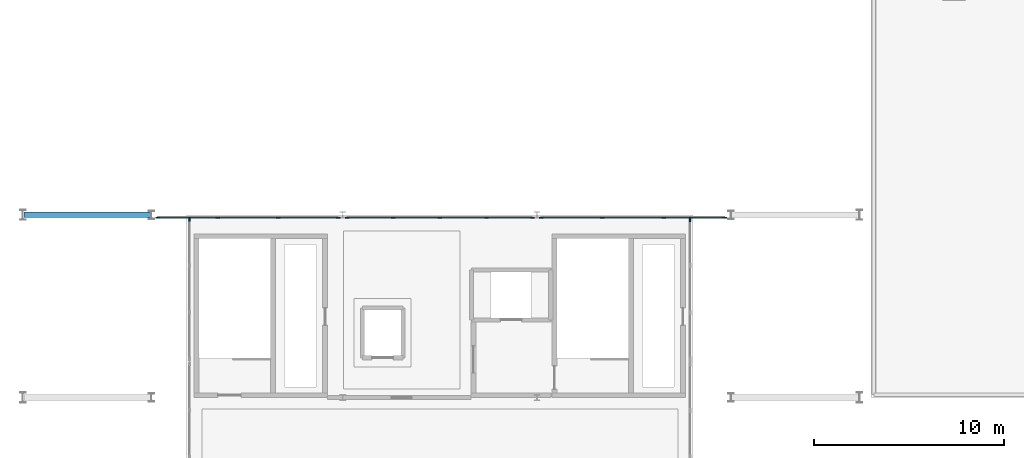
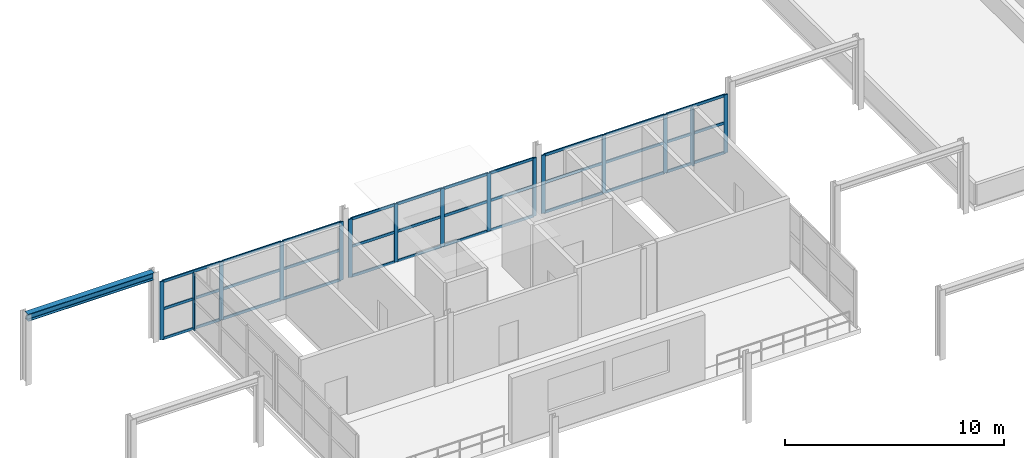
# One storey, part 23 of 52: 45 members, 1 beam, 5 elements without a shape of their own.
"""IFC4 building model written with IfcOpenShell, lengths in metres."""

from ifc_helpers import new_model, si_unit, direction, frame, origin, origin_2d, place, context, subcontext, project, spatial, rectangle, i_section, extrude, material, layer, layer_set, material_profile, profile_set, type_object, element, aggregate, save


model = new_model("IFC4")

# Units and contexts
model_context = context("Model", 3, precision=1e-05, world=origin(), true_north=direction((0.0, 1.0)))
body_context = subcontext(model_context, "Body", "Model", "MODEL_VIEW")
ifc_project = project(units=[si_unit("LENGTHUNIT", "METRE"), si_unit("AREAUNIT", "SQUARE_METRE"), si_unit("VOLUMEUNIT", "CUBIC_METRE"), si_unit("PLANEANGLEUNIT", "RADIAN"), si_unit("MASSUNIT", "GRAM", prefix="KILO")], contexts=[model_context])

# Site, building, storey
site_placement = place(None, origin())
site = spatial("IfcSite", under=ifc_project, at=site_placement, CompositionType="ELEMENT")
building_placement = place(site_placement, origin())
building = spatial("IfcBuilding", under=site, at=building_placement, Name="Myrtia Square Station", CompositionType="ELEMENT")
storey_placement = place(building_placement, frame((0.0, 0.0, 15.0)))
storey = spatial("IfcBuildingStorey", under=building, at=storey_placement, Name="L03", CompositionType="ELEMENT", Elevation=15.0)

# Beam
ifc_material_1 = material(Name="Steel S355", Category="steel")
ifc_material_profile_1 = material_profile(ifc_material_1, i_section(OverallWidth=0.300048828125, OverallDepth=0.39990234375, WebThickness=0.013427734375, FlangeThickness=0.02392578125, FilletRadius=0.027099609375, at=origin_2d()), Name="HEB 400")
ifc_profile_set_1 = profile_set([ifc_material_profile_1], Name="Steel S355")
beam_type = type_object("IfcBeamType", Name="BM-HEB400", PredefinedType="BEAM", material=ifc_profile_set_1)
beam_placement = place(storey_placement, frame((72.64990234375, 96.0, 3.64990234375), z_axis=(1.0, 0.0, 0.0), x_axis=(0.0, 1.0, 0.0)))
element("IfcBeam", 1, at=beam_placement, inside=storey, type_object=beam_type, Name="Colonnade overhang tie beam 026", PredefinedType="BEAM", context=body_context, shape_type="SweptSolid", body=[
    extrude(i_section(OverallWidth=0.300048828125, OverallDepth=0.39990234375, WebThickness=0.013427734375, FlangeThickness=0.02392578125, FilletRadius=0.027099609375, at=origin_2d()), origin(), (0.0, 0.0, 1.0), 6.650146484375),
])

# Curtain wall, member
ifc_material_2 = material(Name="Dark bronze anodised aluminium", Category="aluminium")
ifc_layer_1 = layer(ifc_material_2, 0.159912109375, Name="Dark bronze anodised aluminium")
ifc_layer_set_1 = layer_set([ifc_layer_1], Name="Dark bronze anodised aluminium")
curtain_wall_type_1 = type_object("IfcCurtainWallType", Name="CW-TYPE-07-740x320", PredefinedType="USERDEFINED", material=ifc_layer_set_1)
curtain_wall_1_placement = place(storey_placement, origin())
curtain_wall_1 = element("IfcCurtainWall", 2, at=curtain_wall_1_placement, inside=storey, type_object=curtain_wall_type_1, Name="Concourse curtain wall CW-L03-039", ObjectType="CONCOURSE CURTAIN WALL", PredefinedType="USERDEFINED")
ifc_material_profile_2 = material_profile(ifc_material_2, rectangle(XDim=0.06494140625, YDim=0.199951171875, at=origin_2d()), Name="ALU-M 65x200")
ifc_profile_set_2 = profile_set([ifc_material_profile_2], Name="Dark bronze anodised aluminium")
member_type_1 = type_object("IfcMemberType", Name="CWM-65x200", PredefinedType="MULLION", material=ifc_profile_set_2)
member_1_placement = place(storey_placement, frame((81.35009765625, 95.767578125, 0.0), z_axis=(0.0, 0.0, 1.0), x_axis=(-1.0, 0.0, 0.0)))
member_1 = element("IfcMember", 3, at=member_1_placement, type_object=member_type_1, Name="CW-039 mullion 4", PredefinedType="MULLION", context=body_context, shape_type="SweptSolid", body=[
    extrude(rectangle(XDim=0.06494140625, YDim=0.199951171875, at=origin_2d()), origin(), (0.0, 0.0, 1.0), 3.199951171875),
])
aggregate(curtain_wall_1, [member_1])

# Curtain wall, members
ifc_layer_2 = layer(ifc_material_2, 0.159912109375, Name="Dark bronze anodised aluminium")
ifc_layer_set_2 = layer_set([ifc_layer_2], Name="Dark bronze anodised aluminium")
curtain_wall_type_2 = type_object("IfcCurtainWallType", Name="CW-TYPE-15-955x325", PredefinedType="USERDEFINED", material=ifc_layer_set_2)
curtain_wall_2_placement = place(storey_placement, origin())
curtain_wall_2 = element("IfcCurtainWall", 4, at=curtain_wall_2_placement, inside=storey, type_object=curtain_wall_type_2, Name="Concourse curtain wall CW-L03-054", ObjectType="CONCOURSE CURTAIN WALL", PredefinedType="USERDEFINED")
member_2_placement = place(storey_placement, frame((79.6826171875, 95.85009765625, 0.0), z_axis=(0.0, 0.0, 1.0), x_axis=(0.0, 1.0, 0.0)))
member_2 = element("IfcMember", 5, at=member_2_placement, type_object=member_type_1, Name="CW-054 mullion 1", PredefinedType="MULLION", context=body_context, shape_type="SweptSolid", body=[
    extrude(rectangle(XDim=0.06494140625, YDim=0.199951171875, at=origin_2d()), origin(), (0.0, 0.0, 1.0), 3.25),
])
member_3_placement = place(storey_placement, frame((82.833251953125, 95.85009765625, 0.0), z_axis=(0.0, 0.0, 1.0), x_axis=(0.0, 1.0, 0.0)))
member_3 = element("IfcMember", 6, at=member_3_placement, type_object=member_type_1, Name="CW-054 mullion 2", PredefinedType="MULLION", context=body_context, shape_type="SweptSolid", body=[
    extrude(rectangle(XDim=0.06494140625, YDim=0.199951171875, at=origin_2d()), origin(), (0.0, 0.0, 1.0), 3.25),
])
member_4_placement = place(storey_placement, frame((86.0166015625, 95.85009765625, 0.0), z_axis=(0.0, 0.0, 1.0), x_axis=(0.0, 1.0, 0.0)))
member_4 = element("IfcMember", 7, at=member_4_placement, type_object=member_type_1, Name="CW-054 mullion 3", PredefinedType="MULLION", context=body_context, shape_type="SweptSolid", body=[
    extrude(rectangle(XDim=0.06494140625, YDim=0.199951171875, at=origin_2d()), origin(), (0.0, 0.0, 1.0), 3.25),
])
member_5_placement = place(storey_placement, frame((89.16748046875, 95.85009765625, 0.0), z_axis=(0.0, 0.0, 1.0), x_axis=(0.0, 1.0, 0.0)))
member_5 = element("IfcMember", 8, at=member_5_placement, type_object=member_type_1, Name="CW-054 mullion 4", PredefinedType="MULLION", context=body_context, shape_type="SweptSolid", body=[
    extrude(rectangle(XDim=0.06494140625, YDim=0.199951171875, at=origin_2d()), origin(), (0.0, 0.0, 1.0), 3.25),
])

ifc_layer_3 = layer(ifc_material_2, 0.159912109375, Name="Dark bronze anodised aluminium")
ifc_layer_set_3 = layer_set([ifc_layer_3], Name="Dark bronze anodised aluminium")
curtain_wall_type_3 = type_object("IfcCurtainWallType", Name="CW-TYPE-16-980x325", PredefinedType="USERDEFINED", material=ifc_layer_set_3)
curtain_wall_3_placement = place(storey_placement, origin())
curtain_wall_3 = element("IfcCurtainWall", 9, at=curtain_wall_3_placement, inside=storey, type_object=curtain_wall_type_3, Name="Concourse curtain wall CW-L03-056", ObjectType="CONCOURSE CURTAIN WALL", PredefinedType="USERDEFINED")
member_6_placement = place(storey_placement, frame((89.632568359375, 95.85009765625, 0.0), z_axis=(0.0, 0.0, 1.0), x_axis=(0.0, 1.0, 0.0)))
member_6 = element("IfcMember", 10, at=member_6_placement, type_object=member_type_1, Name="CW-056 mullion 1", PredefinedType="MULLION", context=body_context, shape_type="SweptSolid", body=[
    extrude(rectangle(XDim=0.06494140625, YDim=0.199951171875, at=origin_2d()), origin(), (0.0, 0.0, 1.0), 3.25),
])
member_7_placement = place(storey_placement, frame((92.050048828125, 95.85009765625, 0.0), z_axis=(0.0, 0.0, 1.0), x_axis=(0.0, 1.0, 0.0)))
member_7 = element("IfcMember", 11, at=member_7_placement, type_object=member_type_1, Name="CW-056 mullion 2", PredefinedType="MULLION", context=body_context, shape_type="SweptSolid", body=[
    extrude(rectangle(XDim=0.06494140625, YDim=0.199951171875, at=origin_2d()), origin(), (0.0, 0.0, 1.0), 3.25),
])
member_8_placement = place(storey_placement, frame((94.5, 95.85009765625, 0.0), z_axis=(0.0, 0.0, 1.0), x_axis=(0.0, 1.0, 0.0)))
member_8 = element("IfcMember", 12, at=member_8_placement, type_object=member_type_1, Name="CW-056 mullion 3", PredefinedType="MULLION", context=body_context, shape_type="SweptSolid", body=[
    extrude(rectangle(XDim=0.06494140625, YDim=0.199951171875, at=origin_2d()), origin(), (0.0, 0.0, 1.0), 3.25),
])
member_9_placement = place(storey_placement, frame((96.949951171875, 95.85009765625, 0.0), z_axis=(0.0, 0.0, 1.0), x_axis=(0.0, 1.0, 0.0)))
member_9 = element("IfcMember", 13, at=member_9_placement, type_object=member_type_1, Name="CW-056 mullion 4", PredefinedType="MULLION", context=body_context, shape_type="SweptSolid", body=[
    extrude(rectangle(XDim=0.06494140625, YDim=0.199951171875, at=origin_2d()), origin(), (0.0, 0.0, 1.0), 3.25),
])
member_10_placement = place(storey_placement, frame((99.367431640625, 95.85009765625, 0.0), z_axis=(0.0, 0.0, 1.0), x_axis=(0.0, 1.0, 0.0)))
member_10 = element("IfcMember", 14, at=member_10_placement, type_object=member_type_1, Name="CW-056 mullion 5", PredefinedType="MULLION", context=body_context, shape_type="SweptSolid", body=[
    extrude(rectangle(XDim=0.06494140625, YDim=0.199951171875, at=origin_2d()), origin(), (0.0, 0.0, 1.0), 3.25),
])

ifc_layer_4 = layer(ifc_material_2, 0.159912109375, Name="Dark bronze anodised aluminium")
ifc_layer_set_4 = layer_set([ifc_layer_4], Name="Dark bronze anodised aluminium")
curtain_wall_type_4 = type_object("IfcCurtainWallType", Name="CW-TYPE-17-970x325", PredefinedType="USERDEFINED", material=ifc_layer_set_4)
curtain_wall_4_placement = place(storey_placement, origin())
curtain_wall_4 = element("IfcCurtainWall", 15, at=curtain_wall_4_placement, inside=storey, type_object=curtain_wall_type_4, Name="Concourse curtain wall CW-L03-058", ObjectType="CONCOURSE CURTAIN WALL", PredefinedType="USERDEFINED")
member_11_placement = place(storey_placement, frame((99.83251953125, 95.85009765625, 0.0), z_axis=(0.0, 0.0, 1.0), x_axis=(0.0, 1.0, 0.0)))
member_11 = element("IfcMember", 16, at=member_11_placement, type_object=member_type_1, Name="CW-058 mullion 1", PredefinedType="MULLION", context=body_context, shape_type="SweptSolid", body=[
    extrude(rectangle(XDim=0.06494140625, YDim=0.199951171875, at=origin_2d()), origin(), (0.0, 0.0, 1.0), 3.25),
])
member_12_placement = place(storey_placement, frame((103.033447265625, 95.85009765625, 0.0), z_axis=(0.0, 0.0, 1.0), x_axis=(0.0, 1.0, 0.0)))
member_12 = element("IfcMember", 17, at=member_12_placement, type_object=member_type_1, Name="CW-058 mullion 2", PredefinedType="MULLION", context=body_context, shape_type="SweptSolid", body=[
    extrude(rectangle(XDim=0.06494140625, YDim=0.199951171875, at=origin_2d()), origin(), (0.0, 0.0, 1.0), 3.25),
])
member_13_placement = place(storey_placement, frame((106.2666015625, 95.85009765625, 0.0), z_axis=(0.0, 0.0, 1.0), x_axis=(0.0, 1.0, 0.0)))
member_13 = element("IfcMember", 18, at=member_13_placement, type_object=member_type_1, Name="CW-058 mullion 3", PredefinedType="MULLION", context=body_context, shape_type="SweptSolid", body=[
    extrude(rectangle(XDim=0.06494140625, YDim=0.199951171875, at=origin_2d()), origin(), (0.0, 0.0, 1.0), 3.25),
])
member_14_placement = place(storey_placement, frame((109.467529296875, 95.85009765625, 0.0), z_axis=(0.0, 0.0, 1.0), x_axis=(0.0, 1.0, 0.0)))
member_14 = element("IfcMember", 19, at=member_14_placement, type_object=member_type_1, Name="CW-058 mullion 4", PredefinedType="MULLION", context=body_context, shape_type="SweptSolid", body=[
    extrude(rectangle(XDim=0.06494140625, YDim=0.199951171875, at=origin_2d()), origin(), (0.0, 0.0, 1.0), 3.25),
])

# Curtain wall, member
ifc_layer_5 = layer(ifc_material_2, 0.159912109375, Name="Dark bronze anodised aluminium")
ifc_layer_set_5 = layer_set([ifc_layer_5], Name="Dark bronze anodised aluminium")
curtain_wall_type_5 = type_object("IfcCurtainWallType", Name="CW-TYPE-08-740x320", PredefinedType="USERDEFINED", material=ifc_layer_set_5)
curtain_wall_5_placement = place(storey_placement, origin())
curtain_wall_5 = element("IfcCurtainWall", 20, at=curtain_wall_5_placement, inside=storey, type_object=curtain_wall_type_5, Name="Concourse curtain wall CW-L03-040", ObjectType="CONCOURSE CURTAIN WALL", PredefinedType="USERDEFINED")
ifc_material_profile_3 = material_profile(ifc_material_2, rectangle(XDim=0.074951171875, YDim=0.239990234375, at=origin_2d()), Name="ALU-M 75x240")
ifc_profile_set_3 = profile_set([ifc_material_profile_3], Name="Dark bronze anodised aluminium")
member_type_2 = type_object("IfcMemberType", Name="CWM-75x240", PredefinedType="MULLION", material=ifc_profile_set_3)
member_15_placement = place(storey_placement, frame((107.64990234375, 95.762451171875, 0.0), z_axis=(0.0, 0.0, 1.0), x_axis=(-1.0, 0.0, 0.0)))
member_15 = element("IfcMember", 21, at=member_15_placement, type_object=member_type_2, Name="CW-040 mullion 4", PredefinedType="MULLION", context=body_context, shape_type="SweptSolid", body=[
    extrude(rectangle(XDim=0.074951171875, YDim=0.239990234375, at=origin_2d()), origin(), (0.0, 0.0, 1.0), 3.199951171875),
])
aggregate(curtain_wall_5, [member_15])

# Member
ifc_material_profile_4 = material_profile(ifc_material_2, rectangle(XDim=0.06494140625, YDim=0.14990234375, at=origin_2d()), Name="ALU-T 65x150")
ifc_profile_set_4 = profile_set([ifc_material_profile_4], Name="Dark bronze anodised aluminium")
member_type_3 = type_object("IfcMemberType", Name="CWT-65x150", PredefinedType="USERDEFINED", material=ifc_profile_set_4)
member_16_placement = place(storey_placement, frame((79.715087890625, 95.85009765625, 0.032470703125), z_axis=(1.0, 0.0, 0.0), x_axis=(0.0, 1.0, 0.0)))
member_16 = element("IfcMember", 22, at=member_16_placement, type_object=member_type_3, Name="CW-054 transom 1.1", ObjectType="TRANSOM", PredefinedType="USERDEFINED", context=body_context, shape_type="SweptSolid", body=[
    extrude(rectangle(XDim=0.06494140625, YDim=0.14990234375, at=origin_2d()), origin(), (0.0, 0.0, 1.0), 3.085693359375),
])

member_17_placement = place(storey_placement, frame((79.715087890625, 95.85009765625, 1.68994140625), z_axis=(1.0, 0.0, 0.0), x_axis=(0.0, 1.0, 0.0)))
member_17 = element("IfcMember", 23, at=member_17_placement, type_object=member_type_3, Name="CW-054 transom 1.2", ObjectType="TRANSOM", PredefinedType="USERDEFINED", context=body_context, shape_type="SweptSolid", body=[
    extrude(rectangle(XDim=0.06494140625, YDim=0.14990234375, at=origin_2d()), origin(), (0.0, 0.0, 1.0), 3.085693359375),
])

member_18_placement = place(storey_placement, frame((79.715087890625, 95.85009765625, 3.217529296875), z_axis=(1.0, 0.0, 0.0), x_axis=(0.0, 1.0, 0.0)))
member_18 = element("IfcMember", 24, at=member_18_placement, type_object=member_type_3, Name="CW-054 transom 1.3", ObjectType="TRANSOM", PredefinedType="USERDEFINED", context=body_context, shape_type="SweptSolid", body=[
    extrude(rectangle(XDim=0.06494140625, YDim=0.14990234375, at=origin_2d()), origin(), (0.0, 0.0, 1.0), 3.085693359375),
])

member_19_placement = place(storey_placement, frame((82.86572265625, 95.85009765625, 0.032470703125), z_axis=(1.0, 0.0, 0.0), x_axis=(0.0, 1.0, 0.0)))
member_19 = element("IfcMember", 25, at=member_19_placement, type_object=member_type_3, Name="CW-054 transom 2.1", ObjectType="TRANSOM", PredefinedType="USERDEFINED", context=body_context, shape_type="SweptSolid", body=[
    extrude(rectangle(XDim=0.06494140625, YDim=0.14990234375, at=origin_2d()), origin(), (0.0, 0.0, 1.0), 3.118408203125),
])

member_20_placement = place(storey_placement, frame((82.86572265625, 95.85009765625, 1.68994140625), z_axis=(1.0, 0.0, 0.0), x_axis=(0.0, 1.0, 0.0)))
member_20 = element("IfcMember", 26, at=member_20_placement, type_object=member_type_3, Name="CW-054 transom 2.2", ObjectType="TRANSOM", PredefinedType="USERDEFINED", context=body_context, shape_type="SweptSolid", body=[
    extrude(rectangle(XDim=0.06494140625, YDim=0.14990234375, at=origin_2d()), origin(), (0.0, 0.0, 1.0), 3.118408203125),
])

member_21_placement = place(storey_placement, frame((82.86572265625, 95.85009765625, 3.217529296875), z_axis=(1.0, 0.0, 0.0), x_axis=(0.0, 1.0, 0.0)))
member_21 = element("IfcMember", 27, at=member_21_placement, type_object=member_type_3, Name="CW-054 transom 2.3", ObjectType="TRANSOM", PredefinedType="USERDEFINED", context=body_context, shape_type="SweptSolid", body=[
    extrude(rectangle(XDim=0.06494140625, YDim=0.14990234375, at=origin_2d()), origin(), (0.0, 0.0, 1.0), 3.118408203125),
])

member_22_placement = place(storey_placement, frame((86.049072265625, 95.85009765625, 0.032470703125), z_axis=(1.0, 0.0, 0.0), x_axis=(0.0, 1.0, 0.0)))
member_22 = element("IfcMember", 28, at=member_22_placement, type_object=member_type_3, Name="CW-054 transom 3.1", ObjectType="TRANSOM", PredefinedType="USERDEFINED", context=body_context, shape_type="SweptSolid", body=[
    extrude(rectangle(XDim=0.06494140625, YDim=0.14990234375, at=origin_2d()), origin(), (0.0, 0.0, 1.0), 3.0859375),
])

member_23_placement = place(storey_placement, frame((86.049072265625, 95.85009765625, 1.68994140625), z_axis=(1.0, 0.0, 0.0), x_axis=(0.0, 1.0, 0.0)))
member_23 = element("IfcMember", 29, at=member_23_placement, type_object=member_type_3, Name="CW-054 transom 3.2", ObjectType="TRANSOM", PredefinedType="USERDEFINED", context=body_context, shape_type="SweptSolid", body=[
    extrude(rectangle(XDim=0.06494140625, YDim=0.14990234375, at=origin_2d()), origin(), (0.0, 0.0, 1.0), 3.0859375),
])

member_24_placement = place(storey_placement, frame((86.049072265625, 95.85009765625, 3.217529296875), z_axis=(1.0, 0.0, 0.0), x_axis=(0.0, 1.0, 0.0)))
member_24 = element("IfcMember", 30, at=member_24_placement, type_object=member_type_3, Name="CW-054 transom 3.3", ObjectType="TRANSOM", PredefinedType="USERDEFINED", context=body_context, shape_type="SweptSolid", body=[
    extrude(rectangle(XDim=0.06494140625, YDim=0.14990234375, at=origin_2d()), origin(), (0.0, 0.0, 1.0), 3.0859375),
])

aggregate(curtain_wall_2, [member_2, member_3, member_4, member_5, member_16, member_17, member_18, member_19, member_20, member_21, member_22, member_23, member_24])

member_25_placement = place(storey_placement, frame((89.6650390625, 95.85009765625, 0.032470703125), z_axis=(1.0, 0.0, 0.0), x_axis=(0.0, 1.0, 0.0)))
member_25 = element("IfcMember", 31, at=member_25_placement, type_object=member_type_3, Name="CW-056 transom 1.1", ObjectType="TRANSOM", PredefinedType="USERDEFINED", context=body_context, shape_type="SweptSolid", body=[
    extrude(rectangle(XDim=0.06494140625, YDim=0.14990234375, at=origin_2d()), origin(), (0.0, 0.0, 1.0), 2.3525390625),
])

member_26_placement = place(storey_placement, frame((89.6650390625, 95.85009765625, 1.68994140625), z_axis=(1.0, 0.0, 0.0), x_axis=(0.0, 1.0, 0.0)))
member_26 = element("IfcMember", 32, at=member_26_placement, type_object=member_type_3, Name="CW-056 transom 1.2", ObjectType="TRANSOM", PredefinedType="USERDEFINED", context=body_context, shape_type="SweptSolid", body=[
    extrude(rectangle(XDim=0.06494140625, YDim=0.14990234375, at=origin_2d()), origin(), (0.0, 0.0, 1.0), 2.3525390625),
])

member_27_placement = place(storey_placement, frame((89.6650390625, 95.85009765625, 3.217529296875), z_axis=(1.0, 0.0, 0.0), x_axis=(0.0, 1.0, 0.0)))
member_27 = element("IfcMember", 33, at=member_27_placement, type_object=member_type_3, Name="CW-056 transom 1.3", ObjectType="TRANSOM", PredefinedType="USERDEFINED", context=body_context, shape_type="SweptSolid", body=[
    extrude(rectangle(XDim=0.06494140625, YDim=0.14990234375, at=origin_2d()), origin(), (0.0, 0.0, 1.0), 2.3525390625),
])

member_28_placement = place(storey_placement, frame((92.08251953125, 95.85009765625, 0.032470703125), z_axis=(1.0, 0.0, 0.0), x_axis=(0.0, 1.0, 0.0)))
member_28 = element("IfcMember", 34, at=member_28_placement, type_object=member_type_3, Name="CW-056 transom 2.1", ObjectType="TRANSOM", PredefinedType="USERDEFINED", context=body_context, shape_type="SweptSolid", body=[
    extrude(rectangle(XDim=0.06494140625, YDim=0.14990234375, at=origin_2d()), origin(), (0.0, 0.0, 1.0), 2.385009765625),
])

member_29_placement = place(storey_placement, frame((92.08251953125, 95.85009765625, 1.68994140625), z_axis=(1.0, 0.0, 0.0), x_axis=(0.0, 1.0, 0.0)))
member_29 = element("IfcMember", 35, at=member_29_placement, type_object=member_type_3, Name="CW-056 transom 2.2", ObjectType="TRANSOM", PredefinedType="USERDEFINED", context=body_context, shape_type="SweptSolid", body=[
    extrude(rectangle(XDim=0.06494140625, YDim=0.14990234375, at=origin_2d()), origin(), (0.0, 0.0, 1.0), 2.385009765625),
])

member_30_placement = place(storey_placement, frame((92.08251953125, 95.85009765625, 3.217529296875), z_axis=(1.0, 0.0, 0.0), x_axis=(0.0, 1.0, 0.0)))
member_30 = element("IfcMember", 36, at=member_30_placement, type_object=member_type_3, Name="CW-056 transom 2.3", ObjectType="TRANSOM", PredefinedType="USERDEFINED", context=body_context, shape_type="SweptSolid", body=[
    extrude(rectangle(XDim=0.06494140625, YDim=0.14990234375, at=origin_2d()), origin(), (0.0, 0.0, 1.0), 2.385009765625),
])

member_31_placement = place(storey_placement, frame((94.532470703125, 95.85009765625, 0.032470703125), z_axis=(1.0, 0.0, 0.0), x_axis=(0.0, 1.0, 0.0)))
member_31 = element("IfcMember", 37, at=member_31_placement, type_object=member_type_3, Name="CW-056 transom 3.1", ObjectType="TRANSOM", PredefinedType="USERDEFINED", context=body_context, shape_type="SweptSolid", body=[
    extrude(rectangle(XDim=0.06494140625, YDim=0.14990234375, at=origin_2d()), origin(), (0.0, 0.0, 1.0), 2.385009765625),
])

member_32_placement = place(storey_placement, frame((94.532470703125, 95.85009765625, 1.68994140625), z_axis=(1.0, 0.0, 0.0), x_axis=(0.0, 1.0, 0.0)))
member_32 = element("IfcMember", 38, at=member_32_placement, type_object=member_type_3, Name="CW-056 transom 3.2", ObjectType="TRANSOM", PredefinedType="USERDEFINED", context=body_context, shape_type="SweptSolid", body=[
    extrude(rectangle(XDim=0.06494140625, YDim=0.14990234375, at=origin_2d()), origin(), (0.0, 0.0, 1.0), 2.385009765625),
])

member_33_placement = place(storey_placement, frame((94.532470703125, 95.85009765625, 3.217529296875), z_axis=(1.0, 0.0, 0.0), x_axis=(0.0, 1.0, 0.0)))
member_33 = element("IfcMember", 39, at=member_33_placement, type_object=member_type_3, Name="CW-056 transom 3.3", ObjectType="TRANSOM", PredefinedType="USERDEFINED", context=body_context, shape_type="SweptSolid", body=[
    extrude(rectangle(XDim=0.06494140625, YDim=0.14990234375, at=origin_2d()), origin(), (0.0, 0.0, 1.0), 2.385009765625),
])

member_34_placement = place(storey_placement, frame((96.982421875, 95.85009765625, 0.032470703125), z_axis=(1.0, 0.0, 0.0), x_axis=(0.0, 1.0, 0.0)))
member_34 = element("IfcMember", 40, at=member_34_placement, type_object=member_type_3, Name="CW-056 transom 4.1", ObjectType="TRANSOM", PredefinedType="USERDEFINED", context=body_context, shape_type="SweptSolid", body=[
    extrude(rectangle(XDim=0.06494140625, YDim=0.14990234375, at=origin_2d()), origin(), (0.0, 0.0, 1.0), 2.3525390625),
])

member_35_placement = place(storey_placement, frame((96.982421875, 95.85009765625, 1.68994140625), z_axis=(1.0, 0.0, 0.0), x_axis=(0.0, 1.0, 0.0)))
member_35 = element("IfcMember", 41, at=member_35_placement, type_object=member_type_3, Name="CW-056 transom 4.2", ObjectType="TRANSOM", PredefinedType="USERDEFINED", context=body_context, shape_type="SweptSolid", body=[
    extrude(rectangle(XDim=0.06494140625, YDim=0.14990234375, at=origin_2d()), origin(), (0.0, 0.0, 1.0), 2.3525390625),
])

member_36_placement = place(storey_placement, frame((96.982421875, 95.85009765625, 3.217529296875), z_axis=(1.0, 0.0, 0.0), x_axis=(0.0, 1.0, 0.0)))
member_36 = element("IfcMember", 42, at=member_36_placement, type_object=member_type_3, Name="CW-056 transom 4.3", ObjectType="TRANSOM", PredefinedType="USERDEFINED", context=body_context, shape_type="SweptSolid", body=[
    extrude(rectangle(XDim=0.06494140625, YDim=0.14990234375, at=origin_2d()), origin(), (0.0, 0.0, 1.0), 2.3525390625),
])

aggregate(curtain_wall_3, [member_6, member_7, member_8, member_9, member_10, member_25, member_26, member_27, member_28, member_29, member_30, member_31, member_32, member_33, member_34, member_35, member_36])

member_37_placement = place(storey_placement, frame((99.864990234375, 95.85009765625, 0.032470703125), z_axis=(1.0, 0.0, 0.0), x_axis=(0.0, 1.0, 0.0)))
member_37 = element("IfcMember", 43, at=member_37_placement, type_object=member_type_3, Name="CW-058 transom 1.1", ObjectType="TRANSOM", PredefinedType="USERDEFINED", context=body_context, shape_type="SweptSolid", body=[
    extrude(rectangle(XDim=0.06494140625, YDim=0.14990234375, at=origin_2d()), origin(), (0.0, 0.0, 1.0), 3.1357421875),
])

member_38_placement = place(storey_placement, frame((99.864990234375, 95.85009765625, 1.68994140625), z_axis=(1.0, 0.0, 0.0), x_axis=(0.0, 1.0, 0.0)))
member_38 = element("IfcMember", 44, at=member_38_placement, type_object=member_type_3, Name="CW-058 transom 1.2", ObjectType="TRANSOM", PredefinedType="USERDEFINED", context=body_context, shape_type="SweptSolid", body=[
    extrude(rectangle(XDim=0.06494140625, YDim=0.14990234375, at=origin_2d()), origin(), (0.0, 0.0, 1.0), 3.1357421875),
])

member_39_placement = place(storey_placement, frame((99.864990234375, 95.85009765625, 3.217529296875), z_axis=(1.0, 0.0, 0.0), x_axis=(0.0, 1.0, 0.0)))
member_39 = element("IfcMember", 45, at=member_39_placement, type_object=member_type_3, Name="CW-058 transom 1.3", ObjectType="TRANSOM", PredefinedType="USERDEFINED", context=body_context, shape_type="SweptSolid", body=[
    extrude(rectangle(XDim=0.06494140625, YDim=0.14990234375, at=origin_2d()), origin(), (0.0, 0.0, 1.0), 3.1357421875),
])

member_40_placement = place(storey_placement, frame((103.06591796875, 95.85009765625, 0.032470703125), z_axis=(1.0, 0.0, 0.0), x_axis=(0.0, 1.0, 0.0)))
member_40 = element("IfcMember", 46, at=member_40_placement, type_object=member_type_3, Name="CW-058 transom 2.1", ObjectType="TRANSOM", PredefinedType="USERDEFINED", context=body_context, shape_type="SweptSolid", body=[
    extrude(rectangle(XDim=0.06494140625, YDim=0.14990234375, at=origin_2d()), origin(), (0.0, 0.0, 1.0), 3.168212890625),
])

member_41_placement = place(storey_placement, frame((103.06591796875, 95.85009765625, 1.68994140625), z_axis=(1.0, 0.0, 0.0), x_axis=(0.0, 1.0, 0.0)))
member_41 = element("IfcMember", 47, at=member_41_placement, type_object=member_type_3, Name="CW-058 transom 2.2", ObjectType="TRANSOM", PredefinedType="USERDEFINED", context=body_context, shape_type="SweptSolid", body=[
    extrude(rectangle(XDim=0.06494140625, YDim=0.14990234375, at=origin_2d()), origin(), (0.0, 0.0, 1.0), 3.168212890625),
])

member_42_placement = place(storey_placement, frame((103.06591796875, 95.85009765625, 3.217529296875), z_axis=(1.0, 0.0, 0.0), x_axis=(0.0, 1.0, 0.0)))
member_42 = element("IfcMember", 48, at=member_42_placement, type_object=member_type_3, Name="CW-058 transom 2.3", ObjectType="TRANSOM", PredefinedType="USERDEFINED", context=body_context, shape_type="SweptSolid", body=[
    extrude(rectangle(XDim=0.06494140625, YDim=0.14990234375, at=origin_2d()), origin(), (0.0, 0.0, 1.0), 3.168212890625),
])

member_43_placement = place(storey_placement, frame((106.299072265625, 95.85009765625, 0.032470703125), z_axis=(1.0, 0.0, 0.0), x_axis=(0.0, 1.0, 0.0)))
member_43 = element("IfcMember", 49, at=member_43_placement, type_object=member_type_3, Name="CW-058 transom 3.1", ObjectType="TRANSOM", PredefinedType="USERDEFINED", context=body_context, shape_type="SweptSolid", body=[
    extrude(rectangle(XDim=0.06494140625, YDim=0.14990234375, at=origin_2d()), origin(), (0.0, 0.0, 1.0), 3.135986328125),
])

member_44_placement = place(storey_placement, frame((106.299072265625, 95.85009765625, 1.68994140625), z_axis=(1.0, 0.0, 0.0), x_axis=(0.0, 1.0, 0.0)))
member_44 = element("IfcMember", 50, at=member_44_placement, type_object=member_type_3, Name="CW-058 transom 3.2", ObjectType="TRANSOM", PredefinedType="USERDEFINED", context=body_context, shape_type="SweptSolid", body=[
    extrude(rectangle(XDim=0.06494140625, YDim=0.14990234375, at=origin_2d()), origin(), (0.0, 0.0, 1.0), 3.135986328125),
])

member_45_placement = place(storey_placement, frame((106.299072265625, 95.85009765625, 3.217529296875), z_axis=(1.0, 0.0, 0.0), x_axis=(0.0, 1.0, 0.0)))
member_45 = element("IfcMember", 51, at=member_45_placement, type_object=member_type_3, Name="CW-058 transom 3.3", ObjectType="TRANSOM", PredefinedType="USERDEFINED", context=body_context, shape_type="SweptSolid", body=[
    extrude(rectangle(XDim=0.06494140625, YDim=0.14990234375, at=origin_2d()), origin(), (0.0, 0.0, 1.0), 3.135986328125),
])

aggregate(curtain_wall_4, [member_11, member_12, member_13, member_14, member_37, member_38, member_39, member_40, member_41, member_42, member_43, member_44, member_45])

save(model, "model.ifc")
